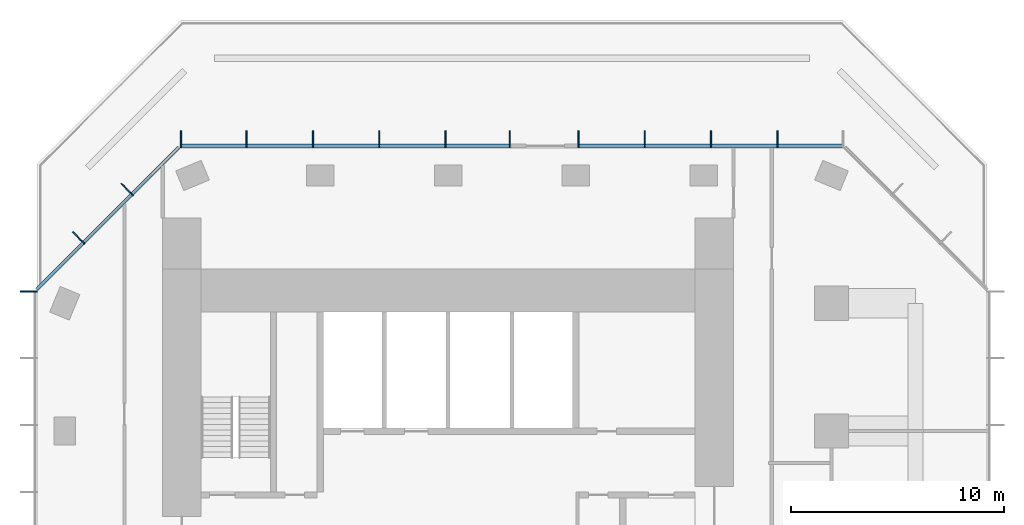
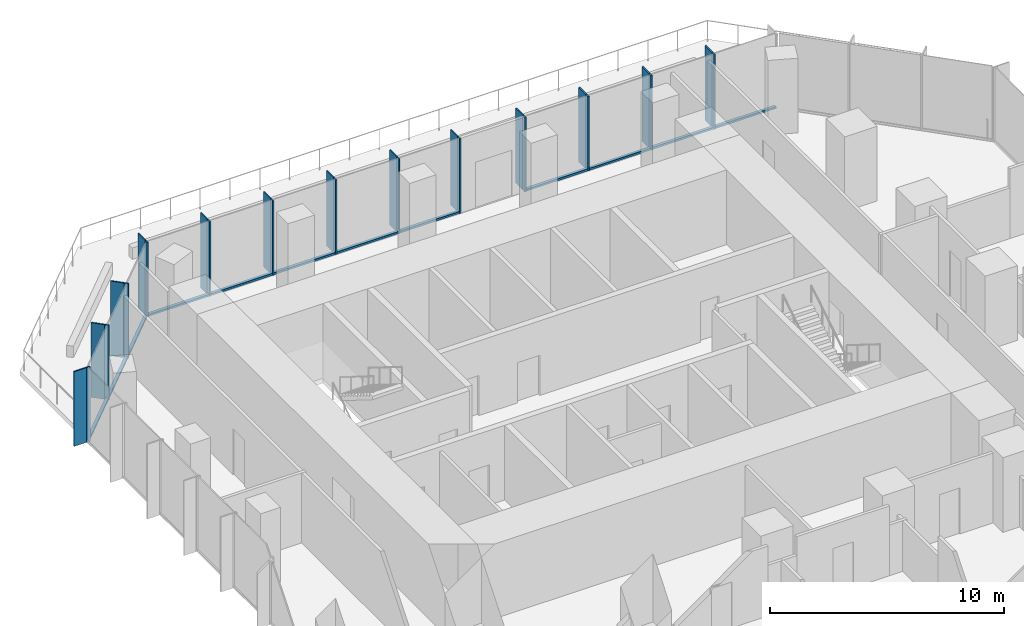
# One storey, part 5 of 11: 38 members, 4 elements without a shape of their own.
"""IFC4 building model written with IfcOpenShell, lengths in metres."""

import ifcopenshell
import ifcopenshell.guid

model = None  # the IFC model being written
_history = None  # IfcOwnerHistory: only IFC2X3 demands one
_inside = {}  # id of a spatial element -> (the spatial element, [elements in it])
_under = {}  # id of a project, library or spatial element -> (it, [spatial elements below it])
_declared = {}  # id of a project -> (the project, [libraries it declares])
_typed = {}  # id of a type object -> (the type object, [elements of that type])
_made_of = {}  # id of a material, layer set ... -> (it, [elements and type objects made of it])


def new_model(schema):
    """Start an empty IFC model of exactly this schema.

    Asked for "IFC4X3", IfcOpenShell would pick the latest addendum, in which some entities
    have other attributes; the version numbers below select the first issue.
    IFC2X3 requires an IfcOwnerHistory on every rooted entity: one is made here for all.
    """
    global model, _history
    if schema == "IFC4X3":
        model = ifcopenshell.file(schema_version=(4, 3, 0, 0))
    else:
        model = ifcopenshell.file(schema=schema)
    _inside.clear()
    _under.clear()
    _declared.clear()
    _typed.clear()
    _made_of.clear()
    _history = None
    if model.schema == "IFC2X3":
        org = make("IfcOrganization", Name="unknown")
        user = make(
            "IfcPersonAndOrganization",
            ThePerson=make("IfcPerson", FamilyName="unknown"),
            TheOrganization=org,
        )
        app = make(
            "IfcApplication",
            ApplicationDeveloper=org,
            Version="unknown",
            ApplicationFullName="unknown",
            ApplicationIdentifier="unknown",
        )
        _history = make(
            "IfcOwnerHistory",
            OwningUser=user,
            OwningApplication=app,
            ChangeAction="ADDED",
            CreationDate=0,
        )
    return model


def make(cls, **values):
    """One entity of the class cls with the attributes given. An attribute that is None is left unset."""
    return model.create_entity(
        cls, **{name: value for name, value in values.items() if value is not None}
    )


def rooted(cls, **values):
    """An entity with a GlobalId (a new one), such as an element, a storey or a relation."""
    return make(cls, GlobalId=ifcopenshell.guid.new(), OwnerHistory=_history, **values)


def si_unit(unit_type, name, prefix=None):
    """IfcSIUnit, for example si_unit("LENGTHUNIT", "METRE", prefix="MILLI")."""
    return make("IfcSIUnit", UnitType=unit_type, Prefix=prefix, Name=name)


def assignment(units):
    """IfcUnitAssignment: the units of a project."""
    return None if units is None else make("IfcUnitAssignment", Units=units)


def point(xyz):
    """IfcCartesianPoint."""
    return None if xyz is None else make("IfcCartesianPoint", Coordinates=xyz)


def direction(xyz):
    """IfcDirection."""
    return None if xyz is None else make("IfcDirection", DirectionRatios=xyz)


def frame(location, z_axis=None, x_axis=None):
    """IfcAxis2Placement3D, a coordinate frame: its origin and axes. An axis left out is left unset."""
    return make(
        "IfcAxis2Placement3D",
        Location=point(location),
        Axis=direction(z_axis),
        RefDirection=direction(x_axis),
    )


def frame_2d(location, x_axis=None):
    """IfcAxis2Placement2D, a coordinate frame in the plane: its origin and x axis."""
    return make(
        "IfcAxis2Placement2D", Location=point(location), RefDirection=direction(x_axis)
    )


def origin():
    """The frame at (0, 0, 0) with its axes left unset."""
    return frame((0.0, 0.0, 0.0))


def origin_2d():
    """The frame at (0, 0) in the plane with its x axis left unset."""
    return frame_2d((0.0, 0.0))


def place(relative_to, where):
    """IfcLocalPlacement: puts the frame where relative to a parent placement (None: the world)."""
    return make(
        "IfcLocalPlacement", PlacementRelTo=relative_to, RelativePlacement=where
    )


def context(
    kind, dimensions, precision=None, world=None, true_north=None, identifier=None
):
    """IfcGeometricRepresentationContext, for example the 3D "Model" context."""
    return make(
        "IfcGeometricRepresentationContext",
        ContextIdentifier=identifier,
        ContextType=kind,
        CoordinateSpaceDimension=dimensions,
        Precision=precision,
        WorldCoordinateSystem=world,
        TrueNorth=true_north,
    )


def subcontext(parent, identifier, kind, view, scale=None):
    """IfcGeometricRepresentationSubContext, for example "Body" below "Model"."""
    return make(
        "IfcGeometricRepresentationSubContext",
        ContextIdentifier=identifier,
        ContextType=kind,
        ParentContext=parent,
        TargetScale=scale,
        TargetView=view,
    )


def project(units=None, contexts=None):
    """IfcProject with its units and contexts."""
    return rooted(
        "IfcProject",
        Name="project",
        RepresentationContexts=contexts,
        UnitsInContext=assignment(units),
    )


def spatial(cls, under=None, at=None, **own):
    """A site, building, storey or space (cls), placed at a placement, below another one or the project."""
    s = rooted(cls, ObjectPlacement=at, **own)
    if under is not None:
        _under.setdefault(under.id(), (under, []))[1].append(s)
    return s


def profile(cls, at=None, kind="AREA", **sizes):
    """A parametric profile (cls). Its sizes go by their IFC names, for example OverallWidth=200.0."""
    return make(cls, ProfileType=kind, Position=at, **sizes)


def rectangle(**sizes):
    """IfcRectangleProfileDef."""
    return profile("IfcRectangleProfileDef", **sizes)


def extrude(swept, where, along, depth):
    """IfcExtrudedAreaSolid: the profile swept, set in the frame where, extruded along a direction by depth."""
    return make(
        "IfcExtrudedAreaSolid",
        SweptArea=swept,
        Position=where,
        ExtrudedDirection=direction(along),
        Depth=depth,
    )


def shape(context_of_items, identifier, shape_type, items):
    """IfcShapeRepresentation: the items that make up one representation, for example the "Body"."""
    return make(
        "IfcShapeRepresentation",
        ContextOfItems=context_of_items,
        RepresentationIdentifier=identifier,
        RepresentationType=shape_type,
        Items=items,
    )


def material(Name=None, Category=None):
    """IfcMaterial."""
    return make("IfcMaterial", Name=Name, Category=Category)


def layer(
    of_material, thickness, ventilated=None, Name=None, Category=None, Priority=None
):
    """IfcMaterialLayer: one layer of a wall or slab, of a material (None: an air gap)."""
    return make(
        "IfcMaterialLayer",
        Material=of_material,
        LayerThickness=thickness,
        IsVentilated=ventilated,
        Name=Name,
        Category=Category,
        Priority=Priority,
    )


def layer_set(layers, Name=None):
    """IfcMaterialLayerSet."""
    return make("IfcMaterialLayerSet", MaterialLayers=layers, LayerSetName=Name)


def material_profile(
    of_material, cross_section, Name=None, Category=None, Priority=None
):
    """IfcMaterialProfile: a cross section and its material."""
    return make(
        "IfcMaterialProfile",
        Name=Name,
        Material=of_material,
        Profile=cross_section,
        Priority=Priority,
        Category=Category,
    )


def profile_set(profiles, Name=None, composite=None):
    """IfcMaterialProfileSet."""
    return make(
        "IfcMaterialProfileSet",
        Name=Name,
        MaterialProfiles=profiles,
        CompositeProfile=composite,
    )


def made_of(thing, what):
    """Note that an element or type object is made of a material, layer set ...; save() writes the relation."""
    if what is not None:
        _made_of.setdefault(what.id(), (what, []))[1].append(thing)
    return thing


def type_object(cls, material=None, **own):
    """A type object (cls), such as IfcWallType, which elements share."""
    return made_of(rooted(cls, **own), material)


def element(
    cls,
    number,
    at=None,
    inside=None,
    cuts=None,
    type_object=None,
    material=None,
    context=None,
    identifier="Body",
    shape_type=None,
    held_by="IfcProductDefinitionShape",
    body=None,
    shapes=None,
    **own,
):
    """One element of the class cls, such as IfcWall. Its Tag is "e" and its number.

    at: its placement. inside: the storey or other place that contains it. cuts: it is an
    opening in that element (IfcRelVoidsElement). A single representation is given by context,
    identifier, shape_type and body (its items); several are given by shapes. held_by: the class
    of the entity that holds the representations. save() writes the other relations.
    """
    e = rooted(cls, Tag="e%d" % number, ObjectPlacement=at, **own)
    if body is not None:
        shapes = [shape(context, identifier, shape_type, body)]
    if shapes is not None:
        e.Representation = make(held_by, Representations=shapes)
    if inside is not None:
        _inside.setdefault(inside.id(), (inside, []))[1].append(e)
    if cuts is not None:
        rooted(
            "IfcRelVoidsElement", RelatingBuildingElement=cuts, RelatedOpeningElement=e
        )
    if type_object is not None:
        _typed.setdefault(type_object.id(), (type_object, []))[1].append(e)
    return made_of(e, material)


def aggregate(whole, parts):
    """IfcRelAggregates: a whole, such as a stair, and the parts it consists of."""
    return rooted("IfcRelAggregates", RelatingObject=whole, RelatedObjects=parts)


def save(model, path):
    """Write the relations noted so far, then the file.

    IfcRelAggregates (storeys below a building ...), IfcRelContainedInSpatialStructure (elements
    in a storey), IfcRelDefinesByType, IfcRelAssociatesMaterial and IfcRelDeclares: one each for
    every whole, place, type object, material and project.
    """
    for whole, parts in _under.values():
        aggregate(whole, parts)
    for where, things in _inside.values():
        rooted(
            "IfcRelContainedInSpatialStructure",
            RelatedElements=things,
            RelatingStructure=where,
        )
    for kind, things in _typed.values():
        rooted("IfcRelDefinesByType", RelatedObjects=things, RelatingType=kind)
    for what, things in _made_of.values():
        rooted("IfcRelAssociatesMaterial", RelatedObjects=things, RelatingMaterial=what)
    for by, libraries in _declared.values():
        rooted("IfcRelDeclares", RelatingContext=by, RelatedDefinitions=libraries)
    model.write(path)


model = new_model("IFC4")

# Units and contexts
model_context = context("Model", 3, precision=1e-05, world=origin(), true_north=direction((0.0, 1.0)))
body_context = subcontext(model_context, "Body", "Model", "MODEL_VIEW")
ifc_project = project(units=[si_unit("LENGTHUNIT", "METRE"), si_unit("AREAUNIT", "SQUARE_METRE"), si_unit("VOLUMEUNIT", "CUBIC_METRE"), si_unit("PLANEANGLEUNIT", "RADIAN"), si_unit("MASSUNIT", "GRAM", prefix="KILO")], contexts=[model_context])

# Site, building, storey
site_placement = place(None, origin())
site = spatial("IfcSite", under=ifc_project, at=site_placement, CompositionType="ELEMENT")
building_placement = place(site_placement, origin())
building = spatial("IfcBuilding", under=site, at=building_placement, Name="Highveld Stack Headquarters", CompositionType="ELEMENT")
storey_placement = place(building_placement, frame((0.0, 0.0, 268.39990234375)))
storey = spatial("IfcBuildingStorey", under=building, at=storey_placement, Name="L66", CompositionType="ELEMENT", Elevation=268.39990234375)

# Curtain wall, members
ifc_material_1 = material(Name="Aluminium bronze anodised", Category="aluminium")
ifc_layer = layer(ifc_material_1, 0.199951171875)
ifc_layer_set = layer_set([ifc_layer], Name="Aluminium bronze anodised")
curtain_wall_type = type_object("IfcCurtainWallType", Name="CW5 EXECUTIVE UNITISED CURTAIN WALL", PredefinedType="NOTDEFINED", material=ifc_layer_set)
curtain_wall_1_placement = place(storey_placement, origin())
curtain_wall_1 = element("IfcCurtainWall", 1, at=curtain_wall_1_placement, inside=storey, type_object=curtain_wall_type, Name="Curtain wall CW5 L66 N-1", PredefinedType="NOTDEFINED")
ifc_material_2 = material(Name="Aluminium bronze anodised", Category="aluminium")
ifc_material_profile_1 = material_profile(ifc_material_2, rectangle(XDim=0.60009765625, YDim=0.06005859375, at=origin_2d()), Name="FIN 600x60")
ifc_profile_set_1 = profile_set([ifc_material_profile_1], Name="Aluminium bronze anodised")
member_type_1 = type_object("IfcMemberType", Name="CW5 BRONZE FIN 600x60", PredefinedType="USERDEFINED", material=ifc_profile_set_1)
member_1_placement = place(storey_placement, frame((21.4638671875, 19.800048828125, 0.0), z_axis=(0.0, 0.0, 1.0), x_axis=(0.0, -1.0, 0.0)))
member_1 = element("IfcMember", 2, at=member_1_placement, type_object=member_type_1, Name="CW5 fin L66 2", ObjectType="FIN", PredefinedType="USERDEFINED", context=body_context, shape_type="SweptSolid", body=[
    extrude(rectangle(XDim=0.60009765625, YDim=0.06005859375, at=origin_2d()), origin(), (0.0, 0.0, 1.0), 3.900146484375),
])
member_2_placement = place(storey_placement, frame((18.347900390625, 19.800048828125, 0.0), z_axis=(0.0, 0.0, 1.0), x_axis=(0.0, -1.0, 0.0)))
member_2 = element("IfcMember", 3, at=member_2_placement, type_object=member_type_1, Name="CW5 fin L66 3", ObjectType="FIN", PredefinedType="USERDEFINED", context=body_context, shape_type="SweptSolid", body=[
    extrude(rectangle(XDim=0.60009765625, YDim=0.06005859375, at=origin_2d()), origin(), (0.0, 0.0, 1.0), 3.900146484375),
])
member_3_placement = place(storey_placement, frame((15.23193359375, 19.800048828125, 0.0), z_axis=(0.0, 0.0, 1.0), x_axis=(0.0, -1.0, 0.0)))
member_3 = element("IfcMember", 4, at=member_3_placement, type_object=member_type_1, Name="CW5 fin L66 4", ObjectType="FIN", PredefinedType="USERDEFINED", context=body_context, shape_type="SweptSolid", body=[
    extrude(rectangle(XDim=0.60009765625, YDim=0.06005859375, at=origin_2d()), origin(), (0.0, 0.0, 1.0), 3.900146484375),
])
member_4_placement = place(storey_placement, frame((12.115966796875, 19.800048828125, 0.0), z_axis=(0.0, 0.0, 1.0), x_axis=(0.0, -1.0, 0.0)))
member_4 = element("IfcMember", 5, at=member_4_placement, type_object=member_type_1, Name="CW5 fin L66 5", ObjectType="FIN", PredefinedType="USERDEFINED", context=body_context, shape_type="SweptSolid", body=[
    extrude(rectangle(XDim=0.60009765625, YDim=0.06005859375, at=origin_2d()), origin(), (0.0, 0.0, 1.0), 3.900146484375),
])

curtain_wall_2_placement = place(storey_placement, origin())
curtain_wall_2 = element("IfcCurtainWall", 6, at=curtain_wall_2_placement, inside=storey, type_object=curtain_wall_type, Name="Curtain wall CW5 L66 N-2", PredefinedType="NOTDEFINED")
member_5_placement = place(storey_placement, frame((8.892578125, 19.800048828125, 0.0), z_axis=(0.0, 0.0, 1.0), x_axis=(0.0, -1.0, 0.0)))
member_5 = element("IfcMember", 7, at=member_5_placement, type_object=member_type_1, Name="CW5 fin L66 1", ObjectType="FIN", PredefinedType="USERDEFINED", context=body_context, shape_type="SweptSolid", body=[
    extrude(rectangle(XDim=0.60009765625, YDim=0.06005859375, at=origin_2d()), origin(), (0.0, 0.0, 1.0), 3.900146484375),
])
member_6_placement = place(storey_placement, frame((5.884033203125, 19.800048828125, 0.0), z_axis=(0.0, 0.0, 1.0), x_axis=(0.0, -1.0, 0.0)))
member_6 = element("IfcMember", 8, at=member_6_placement, type_object=member_type_1, Name="CW5 fin L66 2", ObjectType="FIN", PredefinedType="USERDEFINED", context=body_context, shape_type="SweptSolid", body=[
    extrude(rectangle(XDim=0.60009765625, YDim=0.06005859375, at=origin_2d()), origin(), (0.0, 0.0, 1.0), 3.900146484375),
])
member_7_placement = place(storey_placement, frame((2.76806640625, 19.800048828125, 0.0), z_axis=(0.0, 0.0, 1.0), x_axis=(0.0, -1.0, 0.0)))
member_7 = element("IfcMember", 9, at=member_7_placement, type_object=member_type_1, Name="CW5 fin L66 3", ObjectType="FIN", PredefinedType="USERDEFINED", context=body_context, shape_type="SweptSolid", body=[
    extrude(rectangle(XDim=0.60009765625, YDim=0.06005859375, at=origin_2d()), origin(), (0.0, 0.0, 1.0), 3.900146484375),
])
member_8_placement = place(storey_placement, frame((-0.347900390625, 19.800048828125, 0.0), z_axis=(0.0, 0.0, 1.0), x_axis=(0.0, -1.0, 0.0)))
member_8 = element("IfcMember", 10, at=member_8_placement, type_object=member_type_1, Name="CW5 fin L66 4", ObjectType="FIN", PredefinedType="USERDEFINED", context=body_context, shape_type="SweptSolid", body=[
    extrude(rectangle(XDim=0.60009765625, YDim=0.06005859375, at=origin_2d()), origin(), (0.0, 0.0, 1.0), 3.900146484375),
])
member_9_placement = place(storey_placement, frame((-3.4638671875, 19.800048828125, 0.0), z_axis=(0.0, 0.0, 1.0), x_axis=(0.0, -1.0, 0.0)))
member_9 = element("IfcMember", 11, at=member_9_placement, type_object=member_type_1, Name="CW5 fin L66 5", ObjectType="FIN", PredefinedType="USERDEFINED", context=body_context, shape_type="SweptSolid", body=[
    extrude(rectangle(XDim=0.60009765625, YDim=0.06005859375, at=origin_2d()), origin(), (0.0, 0.0, 1.0), 3.900146484375),
])
member_10_placement = place(storey_placement, frame((-6.54736328125, 19.800048828125, 0.0), z_axis=(0.0, 0.0, 1.0), x_axis=(0.0, -1.0, 0.0)))
member_10 = element("IfcMember", 12, at=member_10_placement, type_object=member_type_1, Name="CW5 fin L66 6", ObjectType="FIN", PredefinedType="USERDEFINED", context=body_context, shape_type="SweptSolid", body=[
    extrude(rectangle(XDim=0.60009765625, YDim=0.06005859375, at=origin_2d()), origin(), (0.0, 0.0, 1.0), 3.900146484375),
])

curtain_wall_3_placement = place(storey_placement, origin())
curtain_wall_3 = element("IfcCurtainWall", 13, at=curtain_wall_3_placement, inside=storey, type_object=curtain_wall_type, Name="Curtain wall CW5 L66 NW", PredefinedType="NOTDEFINED")
member_11_placement = place(storey_placement, frame((-9.135986328125, 17.409423828125, 0.0), z_axis=(0.0, 0.0, 1.0), x_axis=(0.707106781187, -0.707106781187, 0.0)))
member_11 = element("IfcMember", 14, at=member_11_placement, type_object=member_type_1, Name="CW5 fin L66 1", ObjectType="FIN", PredefinedType="USERDEFINED", context=body_context, shape_type="SweptSolid", body=[
    extrude(rectangle(XDim=0.60009765625, YDim=0.06005859375, at=origin_2d()), origin(), (0.0, 0.0, 1.0), 3.900146484375),
])
member_12_placement = place(storey_placement, frame((-11.409423828125, 15.135986328125, 0.0), z_axis=(0.0, 0.0, 1.0), x_axis=(0.707106781187, -0.707106781187, 0.0)))
member_12 = element("IfcMember", 15, at=member_12_placement, type_object=member_type_1, Name="CW5 fin L66 2", ObjectType="FIN", PredefinedType="USERDEFINED", context=body_context, shape_type="SweptSolid", body=[
    extrude(rectangle(XDim=0.60009765625, YDim=0.06005859375, at=origin_2d()), origin(), (0.0, 0.0, 1.0), 3.900146484375),
])

# Curtain wall, member
curtain_wall_4_placement = place(storey_placement, origin())
curtain_wall_4 = element("IfcCurtainWall", 16, at=curtain_wall_4_placement, inside=storey, type_object=curtain_wall_type, Name="Curtain wall CW5 L66 W", PredefinedType="NOTDEFINED")
member_13_placement = place(storey_placement, frame((-13.800048828125, 12.54736328125, 0.0), z_axis=(0.0, 0.0, 1.0), x_axis=(1.0, 0.0, 0.0)))
member_13 = element("IfcMember", 17, at=member_13_placement, type_object=member_type_1, Name="CW5 fin L66 1", ObjectType="FIN", PredefinedType="USERDEFINED", context=body_context, shape_type="SweptSolid", body=[
    extrude(rectangle(XDim=0.60009765625, YDim=0.06005859375, at=origin_2d()), origin(), (0.0, 0.0, 1.0), 3.900146484375),
])

# Member
ifc_material_3 = material(Name="Aluminium bronze anodised", Category="aluminium")
ifc_material_profile_2 = material_profile(ifc_material_3, rectangle(XDim=0.199951171875, YDim=0.06494140625, at=origin_2d()), Name="CW5 MULLION 65x200")
ifc_profile_set_2 = profile_set([ifc_material_profile_2], Name="Aluminium bronze anodised")
member_type_2 = type_object("IfcMemberType", Name="CW5 MULLION 65x200", PredefinedType="MULLION", material=ifc_profile_set_2)
member_14_placement = place(storey_placement, frame((21.4638671875, 19.39990234375, 0.0), z_axis=(0.0, 0.0, 1.0), x_axis=(0.0, -1.0, 0.0)))
member_14 = element("IfcMember", 18, at=member_14_placement, type_object=member_type_2, Name="CW5 mullion L66 2", PredefinedType="MULLION", context=body_context, shape_type="SweptSolid", body=[
    extrude(rectangle(XDim=0.199951171875, YDim=0.06494140625, at=origin_2d()), origin(), (0.0, 0.0, 1.0), 3.900146484375),
])

member_15_placement = place(storey_placement, frame((18.347900390625, 19.39990234375, 0.0), z_axis=(0.0, 0.0, 1.0), x_axis=(0.0, -1.0, 0.0)))
member_15 = element("IfcMember", 19, at=member_15_placement, type_object=member_type_2, Name="CW5 mullion L66 3", PredefinedType="MULLION", context=body_context, shape_type="SweptSolid", body=[
    extrude(rectangle(XDim=0.199951171875, YDim=0.06494140625, at=origin_2d()), origin(), (0.0, 0.0, 1.0), 3.900146484375),
])

member_16_placement = place(storey_placement, frame((15.23193359375, 19.39990234375, 0.0), z_axis=(0.0, 0.0, 1.0), x_axis=(0.0, -1.0, 0.0)))
member_16 = element("IfcMember", 20, at=member_16_placement, type_object=member_type_2, Name="CW5 mullion L66 4", PredefinedType="MULLION", context=body_context, shape_type="SweptSolid", body=[
    extrude(rectangle(XDim=0.199951171875, YDim=0.06494140625, at=origin_2d()), origin(), (0.0, 0.0, 1.0), 3.900146484375),
])

member_17_placement = place(storey_placement, frame((12.115966796875, 19.39990234375, 0.0), z_axis=(0.0, 0.0, 1.0), x_axis=(0.0, -1.0, 0.0)))
member_17 = element("IfcMember", 21, at=member_17_placement, type_object=member_type_2, Name="CW5 mullion L66 5", PredefinedType="MULLION", context=body_context, shape_type="SweptSolid", body=[
    extrude(rectangle(XDim=0.199951171875, YDim=0.06494140625, at=origin_2d()), origin(), (0.0, 0.0, 1.0), 3.900146484375),
])

member_18_placement = place(storey_placement, frame((8.892578125, 19.39990234375, 0.0), z_axis=(0.0, 0.0, 1.0), x_axis=(0.0, -1.0, 0.0)))
member_18 = element("IfcMember", 22, at=member_18_placement, type_object=member_type_2, Name="CW5 mullion L66 1", PredefinedType="MULLION", context=body_context, shape_type="SweptSolid", body=[
    extrude(rectangle(XDim=0.199951171875, YDim=0.06494140625, at=origin_2d()), origin(), (0.0, 0.0, 1.0), 3.900146484375),
])

member_19_placement = place(storey_placement, frame((5.884033203125, 19.39990234375, 0.0), z_axis=(0.0, 0.0, 1.0), x_axis=(0.0, -1.0, 0.0)))
member_19 = element("IfcMember", 23, at=member_19_placement, type_object=member_type_2, Name="CW5 mullion L66 2", PredefinedType="MULLION", context=body_context, shape_type="SweptSolid", body=[
    extrude(rectangle(XDim=0.199951171875, YDim=0.06494140625, at=origin_2d()), origin(), (0.0, 0.0, 1.0), 3.900146484375),
])

member_20_placement = place(storey_placement, frame((2.76806640625, 19.39990234375, 0.0), z_axis=(0.0, 0.0, 1.0), x_axis=(0.0, -1.0, 0.0)))
member_20 = element("IfcMember", 24, at=member_20_placement, type_object=member_type_2, Name="CW5 mullion L66 3", PredefinedType="MULLION", context=body_context, shape_type="SweptSolid", body=[
    extrude(rectangle(XDim=0.199951171875, YDim=0.06494140625, at=origin_2d()), origin(), (0.0, 0.0, 1.0), 3.900146484375),
])

member_21_placement = place(storey_placement, frame((-0.347900390625, 19.39990234375, 0.0), z_axis=(0.0, 0.0, 1.0), x_axis=(0.0, -1.0, 0.0)))
member_21 = element("IfcMember", 25, at=member_21_placement, type_object=member_type_2, Name="CW5 mullion L66 4", PredefinedType="MULLION", context=body_context, shape_type="SweptSolid", body=[
    extrude(rectangle(XDim=0.199951171875, YDim=0.06494140625, at=origin_2d()), origin(), (0.0, 0.0, 1.0), 3.900146484375),
])

member_22_placement = place(storey_placement, frame((-3.4638671875, 19.39990234375, 0.0), z_axis=(0.0, 0.0, 1.0), x_axis=(0.0, -1.0, 0.0)))
member_22 = element("IfcMember", 26, at=member_22_placement, type_object=member_type_2, Name="CW5 mullion L66 5", PredefinedType="MULLION", context=body_context, shape_type="SweptSolid", body=[
    extrude(rectangle(XDim=0.199951171875, YDim=0.06494140625, at=origin_2d()), origin(), (0.0, 0.0, 1.0), 3.900146484375),
])

member_23_placement = place(storey_placement, frame((-6.54736328125, 19.39990234375, 0.0), z_axis=(0.0, 0.0, 1.0), x_axis=(0.0, -1.0, 0.0)))
member_23 = element("IfcMember", 27, at=member_23_placement, type_object=member_type_2, Name="CW5 mullion L66 6", PredefinedType="MULLION", context=body_context, shape_type="SweptSolid", body=[
    extrude(rectangle(XDim=0.199951171875, YDim=0.06494140625, at=origin_2d()), origin(), (0.0, 0.0, 1.0), 3.900146484375),
])

member_24_placement = place(storey_placement, frame((-8.853271484375, 17.126708984375, 0.0), z_axis=(0.0, 0.0, 1.0), x_axis=(0.707106781187, -0.707106781187, 0.0)))
member_24 = element("IfcMember", 28, at=member_24_placement, type_object=member_type_2, Name="CW5 mullion L66 1", PredefinedType="MULLION", context=body_context, shape_type="SweptSolid", body=[
    extrude(rectangle(XDim=0.199951171875, YDim=0.06494140625, at=origin_2d()), origin(), (0.0, 0.0, 1.0), 3.900146484375),
])

member_25_placement = place(storey_placement, frame((-11.126708984375, 14.853271484375, 0.0), z_axis=(0.0, 0.0, 1.0), x_axis=(0.707106781187, -0.707106781187, 0.0)))
member_25 = element("IfcMember", 29, at=member_25_placement, type_object=member_type_2, Name="CW5 mullion L66 2", PredefinedType="MULLION", context=body_context, shape_type="SweptSolid", body=[
    extrude(rectangle(XDim=0.199951171875, YDim=0.06494140625, at=origin_2d()), origin(), (0.0, 0.0, 1.0), 3.900146484375),
])

member_26_placement = place(storey_placement, frame((-13.39990234375, 12.54736328125, 0.0), z_axis=(0.0, 0.0, 1.0), x_axis=(1.0, 0.0, 0.0)))
member_26 = element("IfcMember", 30, at=member_26_placement, type_object=member_type_2, Name="CW5 mullion L66 1", PredefinedType="MULLION", context=body_context, shape_type="SweptSolid", body=[
    extrude(rectangle(XDim=0.199951171875, YDim=0.06494140625, at=origin_2d()), origin(), (0.0, 0.0, 1.0), 3.900146484375),
])

aggregate(curtain_wall_4, [member_26, member_13])

ifc_material_4 = material(Name="Aluminium bronze anodised", Category="aluminium")
ifc_material_profile_3 = material_profile(ifc_material_4, rectangle(XDim=0.14990234375, YDim=0.10009765625, at=origin_2d()), Name="CW5 TRANSOM 150x100")
ifc_profile_set_3 = profile_set([ifc_material_profile_3], Name="Aluminium bronze anodised")
member_type_3 = type_object("IfcMemberType", Name="CW5 STACK TRANSOM 150x100", PredefinedType="USERDEFINED", material=ifc_profile_set_3)
member_27_placement = place(storey_placement, frame((24.514892578125, 19.39990234375, 0.050048828125), z_axis=(-1.0, 0.0, 0.0), x_axis=(0.0, -1.0, 0.0)))
member_27 = element("IfcMember", 31, at=member_27_placement, type_object=member_type_3, Name="CW5 transom L66 1.1", ObjectType="TRANSOM", PredefinedType="USERDEFINED", context=body_context, shape_type="SweptSolid", body=[
    extrude(rectangle(XDim=0.14990234375, YDim=0.10009765625, at=origin_2d()), origin(), (0.0, 0.0, 1.0), 3.0185546875),
])

member_28_placement = place(storey_placement, frame((21.431396484375, 19.39990234375, 0.050048828125), z_axis=(-1.0, 0.0, 0.0), x_axis=(0.0, -1.0, 0.0)))
member_28 = element("IfcMember", 32, at=member_28_placement, type_object=member_type_3, Name="CW5 transom L66 2.1", ObjectType="TRANSOM", PredefinedType="USERDEFINED", context=body_context, shape_type="SweptSolid", body=[
    extrude(rectangle(XDim=0.14990234375, YDim=0.10009765625, at=origin_2d()), origin(), (0.0, 0.0, 1.0), 3.051025390625),
])

member_29_placement = place(storey_placement, frame((18.3154296875, 19.39990234375, 0.050048828125), z_axis=(-1.0, 0.0, 0.0), x_axis=(0.0, -1.0, 0.0)))
member_29 = element("IfcMember", 33, at=member_29_placement, type_object=member_type_3, Name="CW5 transom L66 3.1", ObjectType="TRANSOM", PredefinedType="USERDEFINED", context=body_context, shape_type="SweptSolid", body=[
    extrude(rectangle(XDim=0.14990234375, YDim=0.10009765625, at=origin_2d()), origin(), (0.0, 0.0, 1.0), 3.051025390625),
])

member_30_placement = place(storey_placement, frame((15.199462890625, 19.39990234375, 0.050048828125), z_axis=(-1.0, 0.0, 0.0), x_axis=(0.0, -1.0, 0.0)))
member_30 = element("IfcMember", 34, at=member_30_placement, type_object=member_type_3, Name="CW5 transom L66 4.1", ObjectType="TRANSOM", PredefinedType="USERDEFINED", context=body_context, shape_type="SweptSolid", body=[
    extrude(rectangle(XDim=0.14990234375, YDim=0.10009765625, at=origin_2d()), origin(), (0.0, 0.0, 1.0), 3.051025390625),
])

aggregate(curtain_wall_1, [member_14, member_1, member_15, member_2, member_16, member_3, member_17, member_4, member_27, member_28, member_29, member_30])

member_31_placement = place(storey_placement, frame((8.860107421875, 19.39990234375, 0.050048828125), z_axis=(-1.0, 0.0, 0.0), x_axis=(0.0, -1.0, 0.0)))
member_31 = element("IfcMember", 35, at=member_31_placement, type_object=member_type_3, Name="CW5 transom L66 6.1", ObjectType="TRANSOM", PredefinedType="USERDEFINED", context=body_context, shape_type="SweptSolid", body=[
    extrude(rectangle(XDim=0.14990234375, YDim=0.10009765625, at=origin_2d()), origin(), (0.0, 0.0, 1.0), 2.943603515625),
])

member_32_placement = place(storey_placement, frame((5.8515625, 19.39990234375, 0.050048828125), z_axis=(-1.0, 0.0, 0.0), x_axis=(0.0, -1.0, 0.0)))
member_32 = element("IfcMember", 36, at=member_32_placement, type_object=member_type_3, Name="CW5 transom L66 7.1", ObjectType="TRANSOM", PredefinedType="USERDEFINED", context=body_context, shape_type="SweptSolid", body=[
    extrude(rectangle(XDim=0.14990234375, YDim=0.10009765625, at=origin_2d()), origin(), (0.0, 0.0, 1.0), 3.051025390625),
])

member_33_placement = place(storey_placement, frame((2.735595703125, 19.39990234375, 0.050048828125), z_axis=(-1.0, 0.0, 0.0), x_axis=(0.0, -1.0, 0.0)))
member_33 = element("IfcMember", 37, at=member_33_placement, type_object=member_type_3, Name="CW5 transom L66 8.1", ObjectType="TRANSOM", PredefinedType="USERDEFINED", context=body_context, shape_type="SweptSolid", body=[
    extrude(rectangle(XDim=0.14990234375, YDim=0.10009765625, at=origin_2d()), origin(), (0.0, 0.0, 1.0), 3.051025390625),
])

member_34_placement = place(storey_placement, frame((-0.38037109375, 19.39990234375, 0.050048828125), z_axis=(-1.0, 0.0, 0.0), x_axis=(0.0, -1.0, 0.0)))
member_34 = element("IfcMember", 38, at=member_34_placement, type_object=member_type_3, Name="CW5 transom L66 9.1", ObjectType="TRANSOM", PredefinedType="USERDEFINED", context=body_context, shape_type="SweptSolid", body=[
    extrude(rectangle(XDim=0.14990234375, YDim=0.10009765625, at=origin_2d()), origin(), (0.0, 0.0, 1.0), 3.051025390625),
])

member_35_placement = place(storey_placement, frame((-3.496337890625, 19.39990234375, 0.050048828125), z_axis=(-1.0, 0.0, 0.0), x_axis=(0.0, -1.0, 0.0)))
member_35 = element("IfcMember", 39, at=member_35_placement, type_object=member_type_3, Name="CW5 transom L66 10.1", ObjectType="TRANSOM", PredefinedType="USERDEFINED", context=body_context, shape_type="SweptSolid", body=[
    extrude(rectangle(XDim=0.14990234375, YDim=0.10009765625, at=origin_2d()), origin(), (0.0, 0.0, 1.0), 3.0185546875),
])

aggregate(curtain_wall_2, [member_18, member_5, member_19, member_6, member_20, member_7, member_21, member_8, member_22, member_9, member_23, member_10, member_31, member_32, member_33, member_34, member_35])

member_36_placement = place(storey_placement, frame((-6.650634765625, 19.329345703125, 0.050048828125), z_axis=(-0.707106781187, -0.707106781187, 0.0), x_axis=(0.707106781187, -0.707106781187, 0.0)))
member_36 = element("IfcMember", 40, at=member_36_placement, type_object=member_type_3, Name="CW5 transom L66 1.1", ObjectType="TRANSOM", PredefinedType="USERDEFINED", context=body_context, shape_type="SweptSolid", body=[
    extrude(rectangle(XDim=0.14990234375, YDim=0.10009765625, at=origin_2d()), origin(), (0.0, 0.0, 1.0), 3.08251953125),
])

member_37_placement = place(storey_placement, frame((-8.876220703125, 17.103759765625, 0.050048828125), z_axis=(-0.707106781187, -0.707106781187, 0.0), x_axis=(0.707106781187, -0.707106781187, 0.0)))
member_37 = element("IfcMember", 41, at=member_37_placement, type_object=member_type_3, Name="CW5 transom L66 2.1", ObjectType="TRANSOM", PredefinedType="USERDEFINED", context=body_context, shape_type="SweptSolid", body=[
    extrude(rectangle(XDim=0.14990234375, YDim=0.10009765625, at=origin_2d()), origin(), (0.0, 0.0, 1.0), 3.150146484375),
])

member_38_placement = place(storey_placement, frame((-11.149658203125, 14.830322265625, 0.050048828125), z_axis=(-0.707106781187, -0.707106781187, 0.0), x_axis=(0.707106781187, -0.707106781187, 0.0)))
member_38 = element("IfcMember", 42, at=member_38_placement, type_object=member_type_3, Name="CW5 transom L66 3.1", ObjectType="TRANSOM", PredefinedType="USERDEFINED", context=body_context, shape_type="SweptSolid", body=[
    extrude(rectangle(XDim=0.14990234375, YDim=0.10009765625, at=origin_2d()), origin(), (0.0, 0.0, 1.0), 3.08251953125),
])

aggregate(curtain_wall_3, [member_24, member_11, member_25, member_12, member_36, member_37, member_38])

save(model, "model.ifc")
